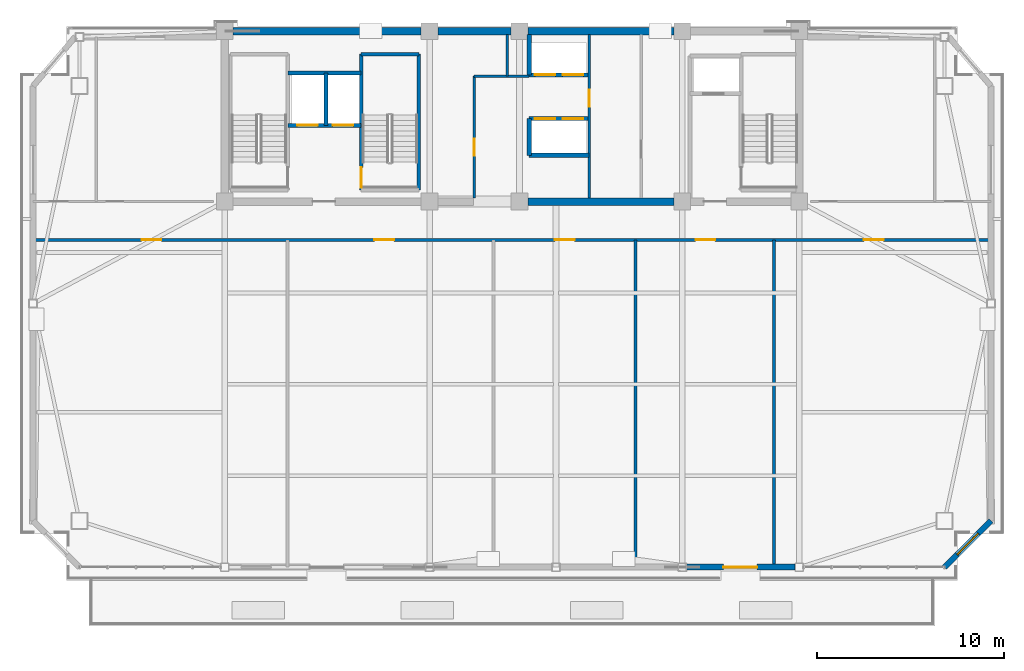
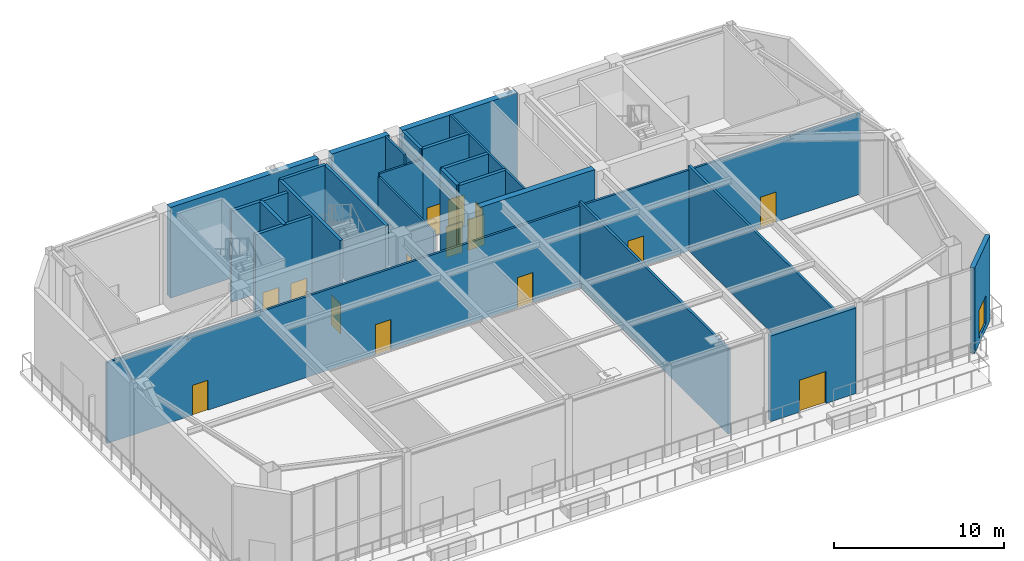
# One storey, part 9 of 15: 24 walls, 15 doors, 1 window, 16 openings.
"""IFC4 building model written with IfcOpenShell, lengths in metres."""

import ifcopenshell
import ifcopenshell.guid

model = None  # the IFC model being written
_history = None  # IfcOwnerHistory: only IFC2X3 demands one
_inside = {}  # id of a spatial element -> (the spatial element, [elements in it])
_under = {}  # id of a project, library or spatial element -> (it, [spatial elements below it])
_declared = {}  # id of a project -> (the project, [libraries it declares])
_typed = {}  # id of a type object -> (the type object, [elements of that type])
_made_of = {}  # id of a material, layer set ... -> (it, [elements and type objects made of it])


def new_model(schema):
    """Start an empty IFC model of exactly this schema.

    Asked for "IFC4X3", IfcOpenShell would pick the latest addendum, in which some entities
    have other attributes; the version numbers below select the first issue.
    IFC2X3 requires an IfcOwnerHistory on every rooted entity: one is made here for all.
    """
    global model, _history
    if schema == "IFC4X3":
        model = ifcopenshell.file(schema_version=(4, 3, 0, 0))
    else:
        model = ifcopenshell.file(schema=schema)
    _inside.clear()
    _under.clear()
    _declared.clear()
    _typed.clear()
    _made_of.clear()
    _history = None
    if model.schema == "IFC2X3":
        org = make("IfcOrganization", Name="unknown")
        user = make(
            "IfcPersonAndOrganization",
            ThePerson=make("IfcPerson", FamilyName="unknown"),
            TheOrganization=org,
        )
        app = make(
            "IfcApplication",
            ApplicationDeveloper=org,
            Version="unknown",
            ApplicationFullName="unknown",
            ApplicationIdentifier="unknown",
        )
        _history = make(
            "IfcOwnerHistory",
            OwningUser=user,
            OwningApplication=app,
            ChangeAction="ADDED",
            CreationDate=0,
        )
    return model


def make(cls, **values):
    """One entity of the class cls with the attributes given. An attribute that is None is left unset."""
    return model.create_entity(
        cls, **{name: value for name, value in values.items() if value is not None}
    )


def rooted(cls, **values):
    """An entity with a GlobalId (a new one), such as an element, a storey or a relation."""
    return make(cls, GlobalId=ifcopenshell.guid.new(), OwnerHistory=_history, **values)


def si_unit(unit_type, name, prefix=None):
    """IfcSIUnit, for example si_unit("LENGTHUNIT", "METRE", prefix="MILLI")."""
    return make("IfcSIUnit", UnitType=unit_type, Prefix=prefix, Name=name)


def assignment(units):
    """IfcUnitAssignment: the units of a project."""
    return None if units is None else make("IfcUnitAssignment", Units=units)


def point(xyz):
    """IfcCartesianPoint."""
    return None if xyz is None else make("IfcCartesianPoint", Coordinates=xyz)


def direction(xyz):
    """IfcDirection."""
    return None if xyz is None else make("IfcDirection", DirectionRatios=xyz)


def frame(location, z_axis=None, x_axis=None):
    """IfcAxis2Placement3D, a coordinate frame: its origin and axes. An axis left out is left unset."""
    return make(
        "IfcAxis2Placement3D",
        Location=point(location),
        Axis=direction(z_axis),
        RefDirection=direction(x_axis),
    )


def frame_2d(location, x_axis=None):
    """IfcAxis2Placement2D, a coordinate frame in the plane: its origin and x axis."""
    return make(
        "IfcAxis2Placement2D", Location=point(location), RefDirection=direction(x_axis)
    )


def origin():
    """The frame at (0, 0, 0) with its axes left unset."""
    return frame((0.0, 0.0, 0.0))


def place(relative_to, where):
    """IfcLocalPlacement: puts the frame where relative to a parent placement (None: the world)."""
    return make(
        "IfcLocalPlacement", PlacementRelTo=relative_to, RelativePlacement=where
    )


def context(
    kind, dimensions, precision=None, world=None, true_north=None, identifier=None
):
    """IfcGeometricRepresentationContext, for example the 3D "Model" context."""
    return make(
        "IfcGeometricRepresentationContext",
        ContextIdentifier=identifier,
        ContextType=kind,
        CoordinateSpaceDimension=dimensions,
        Precision=precision,
        WorldCoordinateSystem=world,
        TrueNorth=true_north,
    )


def subcontext(parent, identifier, kind, view, scale=None):
    """IfcGeometricRepresentationSubContext, for example "Body" below "Model"."""
    return make(
        "IfcGeometricRepresentationSubContext",
        ContextIdentifier=identifier,
        ContextType=kind,
        ParentContext=parent,
        TargetScale=scale,
        TargetView=view,
    )


def project(units=None, contexts=None):
    """IfcProject with its units and contexts."""
    return rooted(
        "IfcProject",
        Name="project",
        RepresentationContexts=contexts,
        UnitsInContext=assignment(units),
    )


def spatial(cls, under=None, at=None, **own):
    """A site, building, storey or space (cls), placed at a placement, below another one or the project."""
    s = rooted(cls, ObjectPlacement=at, **own)
    if under is not None:
        _under.setdefault(under.id(), (under, []))[1].append(s)
    return s


def profile(cls, at=None, kind="AREA", **sizes):
    """A parametric profile (cls). Its sizes go by their IFC names, for example OverallWidth=200.0."""
    return make(cls, ProfileType=kind, Position=at, **sizes)


def rectangle(**sizes):
    """IfcRectangleProfileDef."""
    return profile("IfcRectangleProfileDef", **sizes)


def extrude(swept, where, along, depth):
    """IfcExtrudedAreaSolid: the profile swept, set in the frame where, extruded along a direction by depth."""
    return make(
        "IfcExtrudedAreaSolid",
        SweptArea=swept,
        Position=where,
        ExtrudedDirection=direction(along),
        Depth=depth,
    )


def shape(context_of_items, identifier, shape_type, items):
    """IfcShapeRepresentation: the items that make up one representation, for example the "Body"."""
    return make(
        "IfcShapeRepresentation",
        ContextOfItems=context_of_items,
        RepresentationIdentifier=identifier,
        RepresentationType=shape_type,
        Items=items,
    )


def source(mapping_origin, context_of_items, identifier, shape_type, items):
    """IfcRepresentationMap: a shape defined once, which mapped items show again and again."""
    return make(
        "IfcRepresentationMap",
        MappingOrigin=mapping_origin,
        MappedRepresentation=shape(context_of_items, identifier, shape_type, items),
    )


def transform(
    local_origin,
    x_axis=None,
    y_axis=None,
    z_axis=None,
    scale=None,
    scale2=None,
    scale3=None,
    uniform=True,
):
    """IfcCartesianTransformationOperator3D, or its non-uniform kind. x_axis, y_axis, z_axis: its Axis1, 2, 3."""
    if uniform:
        return make(
            "IfcCartesianTransformationOperator3D",
            Axis1=direction(x_axis),
            Axis2=direction(y_axis),
            LocalOrigin=point(local_origin),
            Scale=scale,
            Axis3=direction(z_axis),
        )
    return make(
        "IfcCartesianTransformationOperator3DnonUniform",
        Axis1=direction(x_axis),
        Axis2=direction(y_axis),
        LocalOrigin=point(local_origin),
        Scale=scale,
        Axis3=direction(z_axis),
        Scale2=scale2,
        Scale3=scale3,
    )


def mapped(mapping_source, mapping_target):
    """IfcMappedItem: shows the shape of a source again, moved by a transform."""
    return make(
        "IfcMappedItem", MappingSource=mapping_source, MappingTarget=mapping_target
    )


def material(Name=None, Category=None):
    """IfcMaterial."""
    return make("IfcMaterial", Name=Name, Category=Category)


def layer(
    of_material, thickness, ventilated=None, Name=None, Category=None, Priority=None
):
    """IfcMaterialLayer: one layer of a wall or slab, of a material (None: an air gap)."""
    return make(
        "IfcMaterialLayer",
        Material=of_material,
        LayerThickness=thickness,
        IsVentilated=ventilated,
        Name=Name,
        Category=Category,
        Priority=Priority,
    )


def layer_set(layers, Name=None):
    """IfcMaterialLayerSet."""
    return make("IfcMaterialLayerSet", MaterialLayers=layers, LayerSetName=Name)


def made_of(thing, what):
    """Note that an element or type object is made of a material, layer set ...; save() writes the relation."""
    if what is not None:
        _made_of.setdefault(what.id(), (what, []))[1].append(thing)
    return thing


def type_object(cls, material=None, **own):
    """A type object (cls), such as IfcWallType, which elements share."""
    return made_of(rooted(cls, **own), material)


def element(
    cls,
    number,
    at=None,
    inside=None,
    cuts=None,
    type_object=None,
    material=None,
    context=None,
    identifier="Body",
    shape_type=None,
    held_by="IfcProductDefinitionShape",
    body=None,
    shapes=None,
    **own,
):
    """One element of the class cls, such as IfcWall. Its Tag is "e" and its number.

    at: its placement. inside: the storey or other place that contains it. cuts: it is an
    opening in that element (IfcRelVoidsElement). A single representation is given by context,
    identifier, shape_type and body (its items); several are given by shapes. held_by: the class
    of the entity that holds the representations. save() writes the other relations.
    """
    e = rooted(cls, Tag="e%d" % number, ObjectPlacement=at, **own)
    if body is not None:
        shapes = [shape(context, identifier, shape_type, body)]
    if shapes is not None:
        e.Representation = make(held_by, Representations=shapes)
    if inside is not None:
        _inside.setdefault(inside.id(), (inside, []))[1].append(e)
    if cuts is not None:
        rooted(
            "IfcRelVoidsElement", RelatingBuildingElement=cuts, RelatedOpeningElement=e
        )
    if type_object is not None:
        _typed.setdefault(type_object.id(), (type_object, []))[1].append(e)
    return made_of(e, material)


def fill(opening, filler):
    """IfcRelFillsElement: the door or window that sits in an opening."""
    return rooted(
        "IfcRelFillsElement",
        RelatingOpeningElement=opening,
        RelatedBuildingElement=filler,
    )


def aggregate(whole, parts):
    """IfcRelAggregates: a whole, such as a stair, and the parts it consists of."""
    return rooted("IfcRelAggregates", RelatingObject=whole, RelatedObjects=parts)


def save(model, path):
    """Write the relations noted so far, then the file.

    IfcRelAggregates (storeys below a building ...), IfcRelContainedInSpatialStructure (elements
    in a storey), IfcRelDefinesByType, IfcRelAssociatesMaterial and IfcRelDeclares: one each for
    every whole, place, type object, material and project.
    """
    for whole, parts in _under.values():
        aggregate(whole, parts)
    for where, things in _inside.values():
        rooted(
            "IfcRelContainedInSpatialStructure",
            RelatedElements=things,
            RelatingStructure=where,
        )
    for kind, things in _typed.values():
        rooted("IfcRelDefinesByType", RelatedObjects=things, RelatingType=kind)
    for what, things in _made_of.values():
        rooted("IfcRelAssociatesMaterial", RelatedObjects=things, RelatingMaterial=what)
    for by, libraries in _declared.values():
        rooted("IfcRelDeclares", RelatingContext=by, RelatedDefinitions=libraries)
    model.write(path)


model = new_model("IFC4")

# Units and contexts
model_context = context("Model", 3, precision=1e-05, world=origin(), true_north=direction((0.0, 1.0)))
body_context = subcontext(model_context, "Body", "Model", "MODEL_VIEW")
ifc_project = project(units=[si_unit("LENGTHUNIT", "METRE"), si_unit("AREAUNIT", "SQUARE_METRE"), si_unit("VOLUMEUNIT", "CUBIC_METRE"), si_unit("PLANEANGLEUNIT", "RADIAN"), si_unit("MASSUNIT", "GRAM", prefix="KILO")], contexts=[model_context])

# Site, building, storey
site_placement = place(None, origin())
site = spatial("IfcSite", under=ifc_project, at=site_placement, CompositionType="ELEMENT")
building_placement = place(site_placement, origin())
building = spatial("IfcBuilding", under=site, at=building_placement, Name="Giltprow Tower", CompositionType="ELEMENT")
storey_placement = place(building_placement, frame((0.0, 0.0, 279.10009765625)))
storey = spatial("IfcBuildingStorey", under=building, at=storey_placement, Name="L72", CompositionType="ELEMENT", Elevation=279.10009765625)

# Wall, opening, window
ifc_material_1 = material(Name="Precast concrete C40", Category="concrete")
ifc_layer_1 = layer(ifc_material_1, 0.300048828125, Name="Precast concrete C40")
ifc_layer_set_1 = layer_set([ifc_layer_1], Name="Precast concrete C40")
wall_type_1 = type_object("IfcWallType", Name="EW-NOTCH-CHAMFER-300", PredefinedType="SOLIDWALL", material=ifc_layer_set_1)
wall_1_placement = place(storey_placement, frame((58.31396484375, 17.907958984375, 0.0), z_axis=(0.0, 0.0, 1.0), x_axis=(0.707106781187, 0.707106781187, 0.0)))
wall_1 = element("IfcWall", 1, at=wall_1_placement, inside=storey, type_object=wall_type_1, Name="L72 Corner Notch Wall SE", PredefinedType="SOLIDWALL", context=body_context, shape_type="SweptSolid", body=[
    extrude(rectangle(XDim=3.503173828125, YDim=0.300048828125, at=frame_2d((1.75146484375, 0.0))), origin(), (0.0, 0.0, 1.0), 6.14990234375),
])
opening_1_placement = place(wall_1_placement, frame((0.951904296875, 0.0, 0.449951171875)))
opening_1 = element("IfcOpeningElement", 2, at=opening_1_placement, cuts=wall_1, Name="Opening WN17", PredefinedType="OPENING", context=body_context, shape_type="SweptSolid", body=[
    extrude(rectangle(XDim=1.60009765625, YDim=2.0, at=frame_2d((0.800048828125, 1.0))), frame((0.0, 0.159912109375, 0.0), z_axis=(0.0, -1.0, 0.0), x_axis=(1.0, 0.0, 0.0)), (0.0, 0.0, 1.0), 0.320068359375),
])
ifc_material_2 = material(Name="Insulated glass", Category="glass")
window_type = type_object("IfcWindowType", Name="WN-COR-1600x2000", PartitioningType="SINGLE_PANEL", PredefinedType="WINDOW", material=ifc_material_2)
shared_shape_1 = source(origin(), body_context, "Body", "SweptSolid", [
    extrude(rectangle(XDim=1.60009765625, YDim=2.0, at=frame_2d((0.800048828125, 1.0))), frame((0.0, 0.030029296875, 0.0), z_axis=(0.0, -1.0, 0.0), x_axis=(1.0, 0.0, 0.0)), (0.0, 0.0, 1.0), 0.06005859375),
])
window_placement = place(opening_1_placement, origin())
window = element("IfcWindow", 3, at=window_placement, inside=storey, type_object=window_type, Name="L72 Corner Notch Window SE", OverallHeight=2.0, OverallWidth=1.60009765625, PartitioningType="SINGLE_PANEL", PredefinedType="WINDOW", context=body_context, shape_type="MappedRepresentation", body=[
    mapped(shared_shape_1, transform((0.0, 0.0, 0.0), x_axis=(1.0, 0.0, 0.0), y_axis=(0.0, 1.0, 0.0), z_axis=(0.0, 0.0, 1.0), scale=1.0)),
])
fill(opening_1, window)

# Wall, opening, door
ifc_layer_2 = layer(ifc_material_1, 0.320068359375, Name="Precast concrete C40")
ifc_layer_set_2 = layer_set([ifc_layer_2], Name="Precast concrete C40")
wall_type_2 = type_object("IfcWallType", Name="EW-TOW-STONE-320", PredefinedType="SOLIDWALL", material=ifc_layer_set_2)
wall_2_placement = place(storey_placement, frame((44.52490234375, 17.907958984375, 0.0), z_axis=(0.0, 0.0, 1.0), x_axis=(1.0, 0.0, 0.0)))
wall_2 = element("IfcWall", 4, at=wall_2_placement, inside=storey, type_object=wall_type_2, Name="L72 South Expressed Frame Wall 5", PredefinedType="SOLIDWALL", context=body_context, shape_type="SweptSolid", body=[
    extrude(rectangle(XDim=5.800048828125, YDim=0.320068359375, at=frame_2d((2.89990234375, 0.0))), origin(), (0.0, 0.0, 1.0), 6.14990234375),
])
opening_2_placement = place(wall_2_placement, frame((1.97509765625, 0.0, 0.0)))
opening_2 = element("IfcOpeningElement", 5, at=opening_2_placement, cuts=wall_2, Name="Opening ED15", PredefinedType="OPENING", context=body_context, shape_type="SweptSolid", body=[
    extrude(rectangle(XDim=1.800048828125, YDim=2.300048828125, at=frame_2d((0.89990234375, 1.14990234375))), frame((0.0, 0.169921875, 0.0), z_axis=(0.0, -1.0, 0.0), x_axis=(1.0, 0.0, 0.0)), (0.0, 0.0, 1.0), 0.340087890625),
])
ifc_material_3 = material(Name="Anodized bronze and glass", Category="glass")
door_type_1 = type_object("IfcDoorType", Name="DR-TERR-SWING-1800", OperationType="DOUBLE_SWING_LEFT", PredefinedType="DOOR", material=ifc_material_3)
shared_shape_2 = source(origin(), body_context, "Body", "SweptSolid", [
    extrude(rectangle(XDim=1.800048828125, YDim=2.300048828125, at=frame_2d((0.89990234375, 1.14990234375))), frame((0.0, 0.02490234375, 0.0), z_axis=(0.0, -1.0, 0.0), x_axis=(1.0, 0.0, 0.0)), (0.0, 0.0, 1.0), 0.050048828125),
])
door_1_placement = place(opening_2_placement, origin())
door_1 = element("IfcDoor", 6, at=door_1_placement, inside=storey, type_object=door_type_1, Name="L72 Sky Garden Terrace Door 2", OperationType="DOUBLE_SWING_RIGHT", OverallHeight=2.300048828125, OverallWidth=1.800048828125, PredefinedType="DOOR", context=body_context, shape_type="MappedRepresentation", body=[
    mapped(shared_shape_2, transform((0.0, 0.0, 0.0), x_axis=(1.0, 0.0, 0.0), y_axis=(0.0, 1.0, 0.0), z_axis=(0.0, 0.0, 1.0), scale=1.0)),
])
fill(opening_2, door_1)

# Wall, openings, doors
ifc_material_4 = material(Name="Gypsum stud partition", Category="gypsum")
ifc_layer_3 = layer(ifc_material_4, 0.14990234375, Name="Gypsum stud partition")
ifc_layer_set_3 = layer_set([ifc_layer_3], Name="Gypsum stud partition")
wall_type_3 = type_object("IfcWallType", Name="IW-CORR-150", PredefinedType="PARTITIONING", material=ifc_layer_set_3)
wall_3_placement = place(storey_placement, frame((9.60888671875, 35.39990234375, 0.0), z_axis=(0.0, 0.0, 1.0), x_axis=(1.0, 0.0, 0.0)))
wall_3 = element("IfcWall", 7, at=wall_3_placement, inside=storey, type_object=wall_type_3, Name="L72 Sky Lobby Concourse Wall", PredefinedType="PARTITIONING", context=body_context, shape_type="SweptSolid", body=[
    extrude(rectangle(XDim=51.18212890625, YDim=0.14990234375, at=frame_2d((25.591064453125, 0.0))), origin(), (0.0, 0.0, 1.0), 5.804931640625),
])
opening_3_placement = place(wall_3_placement, frame((5.805908203125, 0.0, 0.0)))
opening_3 = element("IfcOpeningElement", 8, at=opening_3_placement, cuts=wall_3, Name="Opening ID31", PredefinedType="OPENING", context=body_context, shape_type="SweptSolid", body=[
    extrude(rectangle(XDim=1.050048828125, YDim=2.14990234375, at=frame_2d((0.52490234375, 1.074951171875))), frame((0.0, 0.0849609375, 0.0), z_axis=(0.0, -1.0, 0.0), x_axis=(1.0, 0.0, 0.0)), (0.0, 0.0, 1.0), 0.169921875),
])
opening_4_placement = place(wall_3_placement, frame((18.240966796875, 0.0, 0.0)))
opening_4 = element("IfcOpeningElement", 9, at=opening_4_placement, cuts=wall_3, Name="Opening ID31", PredefinedType="OPENING", context=body_context, shape_type="SweptSolid", body=[
    extrude(rectangle(XDim=1.050048828125, YDim=2.14990234375, at=frame_2d((0.52490234375, 1.074951171875))), frame((0.0, 0.0849609375, 0.0), z_axis=(0.0, -1.0, 0.0), x_axis=(1.0, 0.0, 0.0)), (0.0, 0.0, 1.0), 0.169921875),
])
opening_5_placement = place(wall_3_placement, frame((27.881103515625, 0.0, 0.0)))
opening_5 = element("IfcOpeningElement", 10, at=opening_5_placement, cuts=wall_3, Name="Opening ID31", PredefinedType="OPENING", context=body_context, shape_type="SweptSolid", body=[
    extrude(rectangle(XDim=1.050048828125, YDim=2.14990234375, at=frame_2d((0.52490234375, 1.074951171875))), frame((0.0, 0.0849609375, 0.0), z_axis=(0.0, -1.0, 0.0), x_axis=(1.0, 0.0, 0.0)), (0.0, 0.0, 1.0), 0.169921875),
])
opening_6_placement = place(wall_3_placement, frame((35.40087890625, 0.0, 0.0)))
opening_6 = element("IfcOpeningElement", 11, at=opening_6_placement, cuts=wall_3, Name="Opening ID31", PredefinedType="OPENING", context=body_context, shape_type="SweptSolid", body=[
    extrude(rectangle(XDim=1.050048828125, YDim=2.14990234375, at=frame_2d((0.52490234375, 1.074951171875))), frame((0.0, 0.0849609375, 0.0), z_axis=(0.0, -1.0, 0.0), x_axis=(1.0, 0.0, 0.0)), (0.0, 0.0, 1.0), 0.169921875),
])
opening_7_placement = place(wall_3_placement, frame((44.39697265625, 0.0, 0.0)))
opening_7 = element("IfcOpeningElement", 12, at=opening_7_placement, cuts=wall_3, Name="Opening ID31", PredefinedType="OPENING", context=body_context, shape_type="SweptSolid", body=[
    extrude(rectangle(XDim=1.050048828125, YDim=2.14990234375, at=frame_2d((0.52490234375, 1.074951171875))), frame((0.0, 0.0849609375, 0.0), z_axis=(0.0, -1.0, 0.0), x_axis=(1.0, 0.0, 0.0)), (0.0, 0.0, 1.0), 0.169921875),
])
ifc_material_5 = material(Name="Engineered timber", Category="wood")
door_type_2 = type_object("IfcDoorType", Name="DR-SUITE-1050", OperationType="SINGLE_SWING_LEFT", PredefinedType="DOOR", material=ifc_material_5)
shared_shape_3 = source(origin(), body_context, "Body", "SweptSolid", [
    extrude(rectangle(XDim=1.050048828125, YDim=2.14990234375, at=frame_2d((0.52490234375, 1.074951171875))), frame((0.0, 0.02490234375, 0.0), z_axis=(0.0, -1.0, 0.0), x_axis=(1.0, 0.0, 0.0)), (0.0, 0.0, 1.0), 0.050048828125),
])
door_2_placement = place(opening_3_placement, origin())
door_2 = element("IfcDoor", 13, at=door_2_placement, inside=storey, type_object=door_type_2, Name="L72 High-Zone Cloud Conservatory Door", OperationType="SINGLE_SWING_RIGHT", OverallHeight=2.14990234375, OverallWidth=1.050048828125, PredefinedType="DOOR", context=body_context, shape_type="MappedRepresentation", body=[
    mapped(shared_shape_3, transform((0.0, 0.0, 0.0), x_axis=(1.0, 0.0, 0.0), y_axis=(0.0, 1.0, 0.0), z_axis=(0.0, 0.0, 1.0), scale=1.0)),
])
fill(opening_3, door_2)
door_3_placement = place(opening_4_placement, origin())
door_3 = element("IfcDoor", 14, at=door_3_placement, inside=storey, type_object=door_type_2, Name="L72 Private Study Office Door", OperationType="SINGLE_SWING_LEFT", OverallHeight=2.14990234375, OverallWidth=1.050048828125, PredefinedType="DOOR", context=body_context, shape_type="MappedRepresentation", body=[
    mapped(shared_shape_3, transform((0.0, 0.0, 0.0), x_axis=(1.0, 0.0, 0.0), y_axis=(0.0, 1.0, 0.0), z_axis=(0.0, 0.0, 1.0), scale=1.0)),
])
fill(opening_4, door_3)
door_4_placement = place(opening_5_placement, origin())
door_4 = element("IfcDoor", 15, at=door_4_placement, inside=storey, type_object=door_type_2, Name="L72 Chamber Recital Meeting Room Door", OperationType="SINGLE_SWING_RIGHT", OverallHeight=2.14990234375, OverallWidth=1.050048828125, PredefinedType="DOOR", context=body_context, shape_type="MappedRepresentation", body=[
    mapped(shared_shape_3, transform((0.0, 0.0, 0.0), x_axis=(1.0, 0.0, 0.0), y_axis=(0.0, 1.0, 0.0), z_axis=(0.0, 0.0, 1.0), scale=1.0)),
])
fill(opening_5, door_4)
door_5_placement = place(opening_6_placement, origin())
door_5 = element("IfcDoor", 16, at=door_5_placement, inside=storey, type_object=door_type_2, Name="L72 Cloud Club Kitchen Door", OperationType="SINGLE_SWING_LEFT", OverallHeight=2.14990234375, OverallWidth=1.050048828125, PredefinedType="DOOR", context=body_context, shape_type="MappedRepresentation", body=[
    mapped(shared_shape_3, transform((0.0, 0.0, 0.0), x_axis=(1.0, 0.0, 0.0), y_axis=(0.0, 1.0, 0.0), z_axis=(0.0, 0.0, 1.0), scale=1.0)),
])
fill(opening_6, door_5)
door_6_placement = place(opening_7_placement, origin())
door_6 = element("IfcDoor", 17, at=door_6_placement, inside=storey, type_object=door_type_2, Name="L72 Horizon Gallery Shop Door", OperationType="SINGLE_SWING_RIGHT", OverallHeight=2.14990234375, OverallWidth=1.050048828125, PredefinedType="DOOR", context=body_context, shape_type="MappedRepresentation", body=[
    mapped(shared_shape_3, transform((0.0, 0.0, 0.0), x_axis=(1.0, 0.0, 0.0), y_axis=(0.0, 1.0, 0.0), z_axis=(0.0, 0.0, 1.0), scale=1.0)),
])
fill(opening_7, door_6)

# Walls
ifc_layer_4 = layer(ifc_material_4, 0.159912109375, Name="Gypsum stud partition")
ifc_layer_set_4 = layer_set([ifc_layer_4], Name="Gypsum stud partition")
wall_type_4 = type_object("IfcWallType", Name="IW-DEMISE-160", PredefinedType="PARTITIONING", material=ifc_layer_set_4)
for number, where, z_axis, x_axis, name in (
    (18, (41.800048828125, 17.907958984375, 0.0), (0.0, 0.0, 1.0), (0.0, 1.0, 0.0), "L72 Sky Lobby Partition 3"),
    (19, (49.199951171875, 17.907958984375, 0.0), (0.0, 0.0, 1.0), (0.0, 1.0, 0.0), "L72 Sky Lobby Partition 4"),
):
    element("IfcWall", number, at=place(storey_placement, frame(where, z_axis=z_axis, x_axis=x_axis)), inside=storey, type_object=wall_type_4, Name=name, PredefinedType="PARTITIONING", context=body_context, shape_type="SweptSolid", body=[
        extrude(rectangle(XDim=17.491943359375, YDim=0.159912109375, at=frame_2d((8.74609375, 0.0))), origin(), (0.0, 0.0, 1.0), 6.10498046875),
    ])

# Wall, openings, doors
ifc_material_6 = material(Name="Concrete C40", Category="concrete")
ifc_layer_5 = layer(ifc_material_6, 0.219970703125, Name="Concrete C40")
ifc_layer_set_5 = layer_set([ifc_layer_5], Name="Concrete C40")
wall_type_5 = type_object("IfcWallType", Name="IW-SHAFT-220", PredefinedType="SOLIDWALL", material=ifc_layer_set_5)
wall_4_placement = place(storey_placement, frame((23.219970703125, 41.52001953125, 0.0), z_axis=(0.0, 0.0, 1.0), x_axis=(1.0, 0.0, 0.0)))
wall_4 = element("IfcWall", 20, at=wall_4_placement, inside=storey, type_object=wall_type_5, Name="L72 FFL1 and Service Lift Front Wall", PredefinedType="SOLIDWALL", context=body_context, shape_type="SweptSolid", body=[
    extrude(rectangle(XDim=3.919921875, YDim=0.219970703125, at=frame_2d((1.9599609375, 0.0))), origin(), (0.0, 0.0, 1.0), 6.52001953125),
])
opening_8_placement = place(wall_4_placement, frame((0.5, 0.0, 0.0)))
opening_8 = element("IfcOpeningElement", 21, at=opening_8_placement, cuts=wall_4, Name="Opening LD-11", PredefinedType="OPENING", context=body_context, shape_type="SweptSolid", body=[
    extrude(rectangle(XDim=1.10009765625, YDim=2.199951171875, at=frame_2d((0.550048828125, 1.10009765625))), frame((0.0, 0.119873046875, 0.0), z_axis=(0.0, -1.0, 0.0), x_axis=(1.0, 0.0, 0.0)), (0.0, 0.0, 1.0), 0.239990234375),
])
opening_9_placement = place(wall_4_placement, frame((2.39990234375, 0.0, 0.0)))
opening_9 = element("IfcOpeningElement", 22, at=opening_9_placement, cuts=wall_4, Name="Opening LD-11", PredefinedType="OPENING", context=body_context, shape_type="SweptSolid", body=[
    extrude(rectangle(XDim=1.10009765625, YDim=2.199951171875, at=frame_2d((0.550048828125, 1.10009765625))), frame((0.0, 0.119873046875, 0.0), z_axis=(0.0, -1.0, 0.0), x_axis=(1.0, 0.0, 0.0)), (0.0, 0.0, 1.0), 0.239990234375),
])
ifc_material_7 = material(Name="Stainless steel", Category="steel")
door_type_3 = type_object("IfcDoorType", Name="DR-LIFT-LD1100", OperationType="SLIDING_TO_LEFT", PredefinedType="DOOR", material=ifc_material_7)
shared_shape_4 = source(origin(), body_context, "Body", "SweptSolid", [
    extrude(rectangle(XDim=1.10009765625, YDim=2.199951171875, at=frame_2d((0.550048828125, 1.10009765625))), frame((0.0, 0.02490234375, 0.0), z_axis=(0.0, -1.0, 0.0), x_axis=(1.0, 0.0, 0.0)), (0.0, 0.0, 1.0), 0.050048828125),
])
door_7_placement = place(opening_8_placement, origin())
door_7 = element("IfcDoor", 23, at=door_7_placement, inside=storey, type_object=door_type_3, Name="L72 FFL1 Landing Door", OperationType="SLIDING_TO_LEFT", OverallHeight=2.199951171875, OverallWidth=1.10009765625, PredefinedType="DOOR", context=body_context, shape_type="MappedRepresentation", body=[
    mapped(shared_shape_4, transform((0.0, 0.0, 0.0), x_axis=(1.0, 0.0, 0.0), y_axis=(0.0, 1.0, 0.0), z_axis=(0.0, 0.0, 1.0), scale=1.0)),
])
fill(opening_8, door_7)
door_8_placement = place(opening_9_placement, origin())
door_8 = element("IfcDoor", 24, at=door_8_placement, inside=storey, type_object=door_type_3, Name="L72 SVL1 Landing Door", OperationType="SLIDING_TO_LEFT", OverallHeight=2.199951171875, OverallWidth=1.10009765625, PredefinedType="DOOR", context=body_context, shape_type="MappedRepresentation", body=[
    mapped(shared_shape_4, transform((0.0, 0.0, 0.0), x_axis=(1.0, 0.0, 0.0), y_axis=(0.0, 1.0, 0.0), z_axis=(0.0, 0.0, 1.0), scale=1.0)),
])
fill(opening_9, door_8)

# Walls
wall_5_placement = place(storey_placement, frame((25.260009765625, 41.52001953125, 0.0), z_axis=(0.0, 0.0, 1.0), x_axis=(0.0, 1.0, 0.0)))
element("IfcWall", 25, at=wall_5_placement, inside=storey, type_object=wall_type_5, Name="L72 FFL1-SVL1 Shaft Divider", PredefinedType="SOLIDWALL", context=body_context, shape_type="SweptSolid", body=[
    extrude(rectangle(XDim=2.800048828125, YDim=0.219970703125, at=frame_2d((1.39990234375, 0.0))), origin(), (0.0, 0.0, 1.0), 6.52001953125),
])
wall_6_placement = place(storey_placement, frame((23.219970703125, 44.320068359375, 0.0), z_axis=(0.0, 0.0, 1.0), x_axis=(1.0, 0.0, 0.0)))
element("IfcWall", 26, at=wall_6_placement, inside=storey, type_object=wall_type_5, Name="L72 FFL1-SVL1 Back Shaft Wall", PredefinedType="SOLIDWALL", context=body_context, shape_type="SweptSolid", body=[
    extrude(rectangle(XDim=3.919921875, YDim=0.219970703125, at=frame_2d((1.9599609375, 0.0))), origin(), (0.0, 0.0, 1.0), 6.52001953125),
])

# Wall, openings, doors
wall_7_placement = place(storey_placement, frame((36.1201171875, 44.219970703125, 0.0), z_axis=(0.0, 0.0, 1.0), x_axis=(1.0, 0.0, 0.0)))
wall_7 = element("IfcWall", 27, at=wall_7_placement, inside=storey, type_object=wall_type_5, Name="L72 High-Rise Lift Shaft Front Wall N", PredefinedType="SOLIDWALL", context=body_context, shape_type="SweptSolid", body=[
    extrude(rectangle(XDim=3.199951171875, YDim=0.219970703125, at=frame_2d((1.60009765625, 0.0))), origin(), (0.0, 0.0, 1.0), 6.52001953125),
])
opening_10_placement = place(wall_7_placement, frame((0.300048828125, 0.0, 0.0)))
opening_10 = element("IfcOpeningElement", 28, at=opening_10_placement, cuts=wall_7, Name="Opening LD-11", PredefinedType="OPENING", context=body_context, shape_type="SweptSolid", body=[
    extrude(rectangle(XDim=1.10009765625, YDim=2.199951171875, at=frame_2d((0.550048828125, 1.10009765625))), frame((0.0, 0.119873046875, 0.0), z_axis=(0.0, -1.0, 0.0), x_axis=(1.0, 0.0, 0.0)), (0.0, 0.0, 1.0), 0.239990234375),
])
opening_11_placement = place(wall_7_placement, frame((1.7900390625, 0.0, 0.0)))
opening_11 = element("IfcOpeningElement", 29, at=opening_11_placement, cuts=wall_7, Name="Opening LD-11", PredefinedType="OPENING", context=body_context, shape_type="SweptSolid", body=[
    extrude(rectangle(XDim=1.10009765625, YDim=2.199951171875, at=frame_2d((0.550048828125, 1.10009765625))), frame((0.0, 0.119873046875, 0.0), z_axis=(0.0, -1.0, 0.0), x_axis=(1.0, 0.0, 0.0)), (0.0, 0.0, 1.0), 0.239990234375),
])
door_9_placement = place(opening_10_placement, origin())
door_9 = element("IfcDoor", 30, at=door_9_placement, inside=storey, type_object=door_type_3, Name="L72 PL-H1 Landing Door", OperationType="SLIDING_TO_LEFT", OverallHeight=2.199951171875, OverallWidth=1.10009765625, PredefinedType="DOOR", context=body_context, shape_type="MappedRepresentation", body=[
    mapped(shared_shape_4, transform((0.0, 0.0, 0.0), x_axis=(1.0, 0.0, 0.0), y_axis=(0.0, 1.0, 0.0), z_axis=(0.0, 0.0, 1.0), scale=1.0)),
])
fill(opening_10, door_9)
door_10_placement = place(opening_11_placement, origin())
door_10 = element("IfcDoor", 31, at=door_10_placement, inside=storey, type_object=door_type_3, Name="L72 PL-H2 Landing Door", OperationType="SLIDING_TO_LEFT", OverallHeight=2.199951171875, OverallWidth=1.10009765625, PredefinedType="DOOR", context=body_context, shape_type="MappedRepresentation", body=[
    mapped(shared_shape_4, transform((0.0, 0.0, 0.0), x_axis=(1.0, 0.0, 0.0), y_axis=(0.0, 1.0, 0.0), z_axis=(0.0, 0.0, 1.0), scale=1.0)),
])
fill(opening_11, door_10)

wall_8_placement = place(storey_placement, frame((36.1201171875, 41.8798828125, 0.0), z_axis=(0.0, 0.0, 1.0), x_axis=(1.0, 0.0, 0.0)))
wall_8 = element("IfcWall", 32, at=wall_8_placement, inside=storey, type_object=wall_type_5, Name="L72 High-Rise Lift Shaft Front Wall S", PredefinedType="SOLIDWALL", context=body_context, shape_type="SweptSolid", body=[
    extrude(rectangle(XDim=3.199951171875, YDim=0.219970703125, at=frame_2d((1.60009765625, 0.0))), origin(), (0.0, 0.0, 1.0), 6.52001953125),
])
opening_12_placement = place(wall_8_placement, frame((0.300048828125, 0.0, 0.0)))
opening_12 = element("IfcOpeningElement", 33, at=opening_12_placement, cuts=wall_8, Name="Opening LD-11", PredefinedType="OPENING", context=body_context, shape_type="SweptSolid", body=[
    extrude(rectangle(XDim=1.10009765625, YDim=2.199951171875, at=frame_2d((0.550048828125, 1.10009765625))), frame((0.0, 0.119873046875, 0.0), z_axis=(0.0, -1.0, 0.0), x_axis=(1.0, 0.0, 0.0)), (0.0, 0.0, 1.0), 0.239990234375),
])
opening_13_placement = place(wall_8_placement, frame((1.7900390625, 0.0, 0.0)))
opening_13 = element("IfcOpeningElement", 34, at=opening_13_placement, cuts=wall_8, Name="Opening LD-11", PredefinedType="OPENING", context=body_context, shape_type="SweptSolid", body=[
    extrude(rectangle(XDim=1.10009765625, YDim=2.199951171875, at=frame_2d((0.550048828125, 1.10009765625))), frame((0.0, 0.119873046875, 0.0), z_axis=(0.0, -1.0, 0.0), x_axis=(1.0, 0.0, 0.0)), (0.0, 0.0, 1.0), 0.239990234375),
])
door_11_placement = place(opening_12_placement, origin())
door_11 = element("IfcDoor", 35, at=door_11_placement, inside=storey, type_object=door_type_3, Name="L72 PL-H3 Landing Door", OperationType="SLIDING_TO_LEFT", OverallHeight=2.199951171875, OverallWidth=1.10009765625, PredefinedType="DOOR", context=body_context, shape_type="MappedRepresentation", body=[
    mapped(shared_shape_4, transform((0.0, 0.0, 0.0), x_axis=(1.0, 0.0, 0.0), y_axis=(0.0, 1.0, 0.0), z_axis=(0.0, 0.0, 1.0), scale=1.0)),
])
fill(opening_12, door_11)
door_12_placement = place(opening_13_placement, origin())
door_12 = element("IfcDoor", 36, at=door_12_placement, inside=storey, type_object=door_type_3, Name="L72 PL-H4 Landing Door", OperationType="SLIDING_TO_LEFT", OverallHeight=2.199951171875, OverallWidth=1.10009765625, PredefinedType="DOOR", context=body_context, shape_type="MappedRepresentation", body=[
    mapped(shared_shape_4, transform((0.0, 0.0, 0.0), x_axis=(1.0, 0.0, 0.0), y_axis=(0.0, 1.0, 0.0), z_axis=(0.0, 0.0, 1.0), scale=1.0)),
])
fill(opening_13, door_12)

# Walls
wall_9_placement = place(storey_placement, frame((36.1201171875, 39.919921875, 0.0), z_axis=(0.0, 0.0, 1.0), x_axis=(1.0, 0.0, 0.0)))
element("IfcWall", 37, at=wall_9_placement, inside=storey, type_object=wall_type_5, Name="L72 High-Rise South Lift Back Wall", PredefinedType="SOLIDWALL", context=body_context, shape_type="SweptSolid", body=[
    extrude(rectangle(XDim=3.199951171875, YDim=0.219970703125, at=frame_2d((1.60009765625, 0.0))), origin(), (0.0, 0.0, 1.0), 6.52001953125),
])
wall_10_placement = place(storey_placement, frame((36.1201171875, 39.919921875, 0.0), z_axis=(0.0, 0.0, 1.0), x_axis=(0.0, 1.0, 0.0)))
element("IfcWall", 38, at=wall_10_placement, inside=storey, type_object=wall_type_5, Name="L72 High-Rise South Lift West Closure", PredefinedType="SOLIDWALL", context=body_context, shape_type="SweptSolid", body=[
    extrude(rectangle(XDim=1.9599609375, YDim=0.219970703125, at=frame_2d((0.97998046875, 0.0))), origin(), (0.0, 0.0, 1.0), 6.52001953125),
])
wall_11_placement = place(storey_placement, frame((36.1201171875, 44.219970703125, 0.0), z_axis=(0.0, 0.0, 1.0), x_axis=(0.0, 1.0, 0.0)))
element("IfcWall", 39, at=wall_11_placement, inside=storey, type_object=wall_type_5, Name="L72 High-Rise North Lift West Closure", PredefinedType="SOLIDWALL", context=body_context, shape_type="SweptSolid", body=[
    extrude(rectangle(XDim=2.150146484375, YDim=0.219970703125, at=frame_2d((1.0751953125, 0.0))), origin(), (0.0, 0.0, 1.0), 6.52001953125),
])

# Wall, opening, door
ifc_layer_6 = layer(ifc_material_6, 0.199951171875, Name="Concrete C40")
ifc_layer_set_6 = layer_set([ifc_layer_6], Name="Concrete C40")
wall_type_6 = type_object("IfcWallType", Name="IW-STAIR-200", PredefinedType="SOLIDWALL", material=ifc_layer_set_6)
wall_12_placement = place(storey_placement, frame((27.139892578125, 38.070068359375, 0.0), z_axis=(0.0, 0.0, 1.0), x_axis=(0.0, 1.0, 0.0)))
wall_12 = element("IfcWall", 40, at=wall_12_placement, inside=storey, type_object=wall_type_6, Name="L72 Stair ST-2 West Bearing Wall", PredefinedType="SOLIDWALL", context=body_context, shape_type="SweptSolid", body=[
    extrude(rectangle(XDim=7.25, YDim=0.199951171875, at=frame_2d((3.625, 0.0))), origin(), (0.0, 0.0, 1.0), 6.7998046875),
])
opening_14_placement = place(wall_12_placement, frame((0.110107421875, 0.0, 0.0)))
opening_14 = element("IfcOpeningElement", 41, at=opening_14_placement, cuts=wall_12, Name="Opening ID33", PredefinedType="OPENING", context=body_context, shape_type="SweptSolid", body=[
    extrude(rectangle(XDim=1.10009765625, YDim=2.14990234375, at=frame_2d((0.550048828125, 1.074951171875))), frame((0.0, 0.10986328125, 0.0), z_axis=(0.0, -1.0, 0.0), x_axis=(1.0, 0.0, 0.0)), (0.0, 0.0, 1.0), 0.219970703125),
])
ifc_material_8 = material(Name="Steel fire leaf", Category="steel")
door_type_4 = type_object("IfcDoorType", Name="DR-STAIR-1100", OperationType="SINGLE_SWING_LEFT", PredefinedType="DOOR", material=ifc_material_8)
shared_shape_5 = source(origin(), body_context, "Body", "SweptSolid", [
    extrude(rectangle(XDim=1.10009765625, YDim=2.14990234375, at=frame_2d((0.550048828125, 1.074951171875))), frame((0.0, 0.02490234375, 0.0), z_axis=(0.0, -1.0, 0.0), x_axis=(1.0, 0.0, 0.0)), (0.0, 0.0, 1.0), 0.050048828125),
])
door_13_placement = place(opening_14_placement, origin())
door_13 = element("IfcDoor", 42, at=door_13_placement, inside=storey, type_object=door_type_4, Name="L72 Stair ST-2 Fire Door", OperationType="SINGLE_SWING_LEFT", OverallHeight=2.14990234375, OverallWidth=1.10009765625, PredefinedType="DOOR", context=body_context, shape_type="MappedRepresentation", body=[
    mapped(shared_shape_5, transform((0.0, 0.0, 0.0), x_axis=(1.0, 0.0, 0.0), y_axis=(0.0, 1.0, 0.0), z_axis=(0.0, 0.0, 1.0), scale=1.0)),
])
fill(opening_14, door_13)

# Walls
wall_13_placement = place(storey_placement, frame((30.219970703125, 38.070068359375, 0.0), z_axis=(0.0, 0.0, 1.0), x_axis=(0.0, 1.0, 0.0)))
element("IfcWall", 43, at=wall_13_placement, inside=storey, type_object=wall_type_6, Name="L72 Stair ST-2 East Bearing Wall", PredefinedType="SOLIDWALL", context=body_context, shape_type="SweptSolid", body=[
    extrude(rectangle(XDim=7.25, YDim=0.199951171875, at=frame_2d((3.625, 0.0))), origin(), (0.0, 0.0, 1.0), 6.7998046875),
])
wall_14_placement = place(storey_placement, frame((27.139892578125, 45.320068359375, 0.0), z_axis=(0.0, 0.0, 1.0), x_axis=(1.0, 0.0, 0.0)))
element("IfcWall", 44, at=wall_14_placement, inside=storey, type_object=wall_type_6, Name="L72 Stair ST-2 North Bearing Wall", PredefinedType="SOLIDWALL", context=body_context, shape_type="SweptSolid", body=[
    extrude(rectangle(XDim=3.080078125, YDim=0.199951171875, at=frame_2d((1.5400390625, 0.0))), origin(), (0.0, 0.0, 1.0), 6.7998046875),
])

# Wall, opening, door
ifc_material_9 = material(Name="Concrete C30", Category="concrete")
ifc_layer_7 = layer(ifc_material_9, 0.1298828125, Name="Concrete C30")
ifc_layer_set_7 = layer_set([ifc_layer_7], Name="Concrete C30")
wall_type_7 = type_object("IfcWallType", Name="IW-WET-130", PredefinedType="PARTITIONING", material=ifc_layer_set_7)
wall_15_placement = place(storey_placement, frame((33.179931640625, 37.6298828125, 0.0), z_axis=(0.0, 0.0, 1.0), x_axis=(0.0, 1.0, 0.0)))
wall_15 = element("IfcWall", 45, at=wall_15_placement, inside=storey, type_object=wall_type_7, Name="L72 Reclaimed West Core Wall", PredefinedType="PARTITIONING", context=body_context, shape_type="SweptSolid", body=[
    extrude(rectangle(XDim=6.52001953125, YDim=0.1298828125, at=frame_2d((3.260009765625, 0.0))), origin(), (0.0, 0.0, 1.0), 5.60498046875),
])
opening_15_placement = place(wall_15_placement, frame((2.27001953125, 0.0, 0.0)))
opening_15 = element("IfcOpeningElement", 46, at=opening_15_placement, cuts=wall_15, Name="Opening ID35", PredefinedType="OPENING", context=body_context, shape_type="SweptSolid", body=[
    extrude(rectangle(XDim=0.89990234375, YDim=2.10009765625, at=frame_2d((0.449951171875, 1.050048828125))), frame((0.0, 0.074951171875, 0.0), z_axis=(0.0, -1.0, 0.0), x_axis=(1.0, 0.0, 0.0)), (0.0, 0.0, 1.0), 0.14990234375),
])
door_type_5 = type_object("IfcDoorType", Name="DR-SHAFT-900", OperationType="SINGLE_SWING_LEFT", PredefinedType="DOOR", material=ifc_material_8)
shared_shape_6 = source(origin(), body_context, "Body", "SweptSolid", [
    extrude(rectangle(XDim=0.89990234375, YDim=2.10009765625, at=frame_2d((0.449951171875, 1.050048828125))), frame((0.0, 0.02490234375, 0.0), z_axis=(0.0, -1.0, 0.0), x_axis=(1.0, 0.0, 0.0)), (0.0, 0.0, 1.0), 0.050048828125),
])
door_14_placement = place(opening_15_placement, origin())
door_14 = element("IfcDoor", 47, at=door_14_placement, inside=storey, type_object=door_type_5, Name="L72 Core Staff Washroom Door", OperationType="SINGLE_SWING_LEFT", OverallHeight=2.10009765625, OverallWidth=0.89990234375, PredefinedType="DOOR", context=body_context, shape_type="MappedRepresentation", body=[
    mapped(shared_shape_6, transform((0.0, 0.0, 0.0), x_axis=(1.0, 0.0, 0.0), y_axis=(0.0, 1.0, 0.0), z_axis=(0.0, 0.0, 1.0), scale=1.0)),
])
fill(opening_15, door_14)

# Walls
wall_16_placement = place(storey_placement, frame((34.949951171875, 44.14990234375, 0.0), z_axis=(0.0, 0.0, 1.0), x_axis=(0.0, 1.0, 0.0)))
element("IfcWall", 48, at=wall_16_placement, inside=storey, type_object=wall_type_7, Name="L72 Reclaimed West Pocket Wall E", PredefinedType="PARTITIONING", context=body_context, shape_type="SweptSolid", body=[
    extrude(rectangle(XDim=2.22021484375, YDim=0.1298828125, at=frame_2d((1.110107421875, 0.0))), origin(), (0.0, 0.0, 1.0), 6.52001953125),
])
wall_17_placement = place(storey_placement, frame((33.179931640625, 44.14990234375, 0.0), z_axis=(0.0, 0.0, 1.0), x_axis=(1.0, 0.0, 0.0)))
element("IfcWall", 49, at=wall_17_placement, inside=storey, type_object=wall_type_7, Name="L72 Reclaimed West Pocket Wall S", PredefinedType="PARTITIONING", context=body_context, shape_type="SweptSolid", body=[
    extrude(rectangle(XDim=2.940185546875, YDim=0.1298828125, at=frame_2d((1.47021484375, 0.0))), origin(), (0.0, 0.0, 1.0), 5.804931640625),
])

# Wall, opening, door
wall_18_placement = place(storey_placement, frame((39.320068359375, 37.6298828125, 0.0), z_axis=(0.0, 0.0, 1.0), x_axis=(0.0, 1.0, 0.0)))
wall_18 = element("IfcWall", 50, at=wall_18_placement, inside=storey, type_object=wall_type_7, Name="L72 Reclaimed East Core Wall", PredefinedType="PARTITIONING", context=body_context, shape_type="SweptSolid", body=[
    extrude(rectangle(XDim=8.740234375, YDim=0.1298828125, at=frame_2d((4.3701171875, 0.0))), origin(), (0.0, 0.0, 1.0), 6.52001953125),
])
opening_16_placement = place(wall_18_placement, frame((4.889892578125, 0.0, 0.0)))
opening_16 = element("IfcOpeningElement", 51, at=opening_16_placement, cuts=wall_18, Name="Opening ID35", PredefinedType="OPENING", context=body_context, shape_type="SweptSolid", body=[
    extrude(rectangle(XDim=0.89990234375, YDim=2.10009765625, at=frame_2d((0.449951171875, 1.050048828125))), frame((0.0, 0.074951171875, 0.0), z_axis=(0.0, -1.0, 0.0), x_axis=(1.0, 0.0, 0.0)), (0.0, 0.0, 1.0), 0.14990234375),
])
door_15_placement = place(opening_16_placement, origin())
door_15 = element("IfcDoor", 52, at=door_15_placement, inside=storey, type_object=door_type_5, Name="L72 Core Laundry Room Door", OperationType="SINGLE_SWING_RIGHT", OverallHeight=2.10009765625, OverallWidth=0.89990234375, PredefinedType="DOOR", context=body_context, shape_type="MappedRepresentation", body=[
    mapped(shared_shape_6, transform((0.0, 0.0, 0.0), x_axis=(1.0, 0.0, 0.0), y_axis=(0.0, 1.0, 0.0), z_axis=(0.0, 0.0, 1.0), scale=1.0)),
])
fill(opening_16, door_15)

# Walls
ifc_material_10 = material(Name="Concrete C45", Category="concrete")
ifc_layer_8 = layer(ifc_material_10, 0.39990234375, Name="Concrete C45")
ifc_layer_set_8 = layer_set([ifc_layer_8], Name="Concrete C45")
wall_type_8 = type_object("IfcWallType", Name="SW-EXT-400-C45", PredefinedType="SHEAR", material=ifc_layer_set_8)
wall_19_placement = place(storey_placement, frame((20.300048828125, 46.550048828125, 0.0), z_axis=(0.0, 0.0, 1.0), x_axis=(1.0, 0.0, 0.0)))
element("IfcWall", 53, at=wall_19_placement, inside=storey, type_object=wall_type_8, Name="L72 North Rear Core Shear Wall 1", PredefinedType="SHEAR", context=body_context, shape_type="SweptSolid", body=[
    extrude(rectangle(XDim=10.050048828125, YDim=0.39990234375, at=frame_2d((5.02490234375, 0.0))), origin(), (0.0, 0.0, 1.0), 6.52001953125),
])
wall_20_placement = place(storey_placement, frame((31.25, 46.550048828125, 0.0), z_axis=(0.0, 0.0, 1.0), x_axis=(1.0, 0.0, 0.0)))
element("IfcWall", 54, at=wall_20_placement, inside=storey, type_object=wall_type_8, Name="L72 North Rear Core Shear Wall 2", PredefinedType="SHEAR", context=body_context, shape_type="SweptSolid", body=[
    extrude(rectangle(XDim=3.89990234375, YDim=0.39990234375, at=frame_2d((1.949951171875, 0.0))), origin(), (0.0, 0.0, 1.0), 6.52001953125),
])
wall_21_placement = place(storey_placement, frame((36.050048828125, 46.550048828125, 0.0), z_axis=(0.0, 0.0, 1.0), x_axis=(1.0, 0.0, 0.0)))
element("IfcWall", 55, at=wall_21_placement, inside=storey, type_object=wall_type_8, Name="L72 North Rear Core Shear Wall 3", PredefinedType="SHEAR", context=body_context, shape_type="SweptSolid", body=[
    extrude(rectangle(XDim=7.800048828125, YDim=0.39990234375, at=frame_2d((3.89990234375, 0.0))), origin(), (0.0, 0.0, 1.0), 6.52001953125),
])
ifc_layer_9 = layer(ifc_material_10, 0.39990234375, Name="Concrete C45")
ifc_layer_set_9 = layer_set([ifc_layer_9], Name="Concrete C45")
wall_type_9 = type_object("IfcWallType", Name="SW-INT-400-C45", PredefinedType="SHEAR", material=ifc_layer_set_9)
wall_22_placement = place(storey_placement, frame((36.050048828125, 37.449951171875, 0.0), z_axis=(0.0, 0.0, 1.0), x_axis=(1.0, 0.0, 0.0)))
element("IfcWall", 56, at=wall_22_placement, inside=storey, type_object=wall_type_9, Name="L72 South Rear Core Shear Wall Mid-East", PredefinedType="SHEAR", context=body_context, shape_type="SweptSolid", body=[
    extrude(rectangle(XDim=7.800048828125, YDim=0.39990234375, at=frame_2d((3.89990234375, 0.0))), origin(), (0.0, 0.0, 1.0), 6.52001953125),
])

save(model, "model.ifc")
